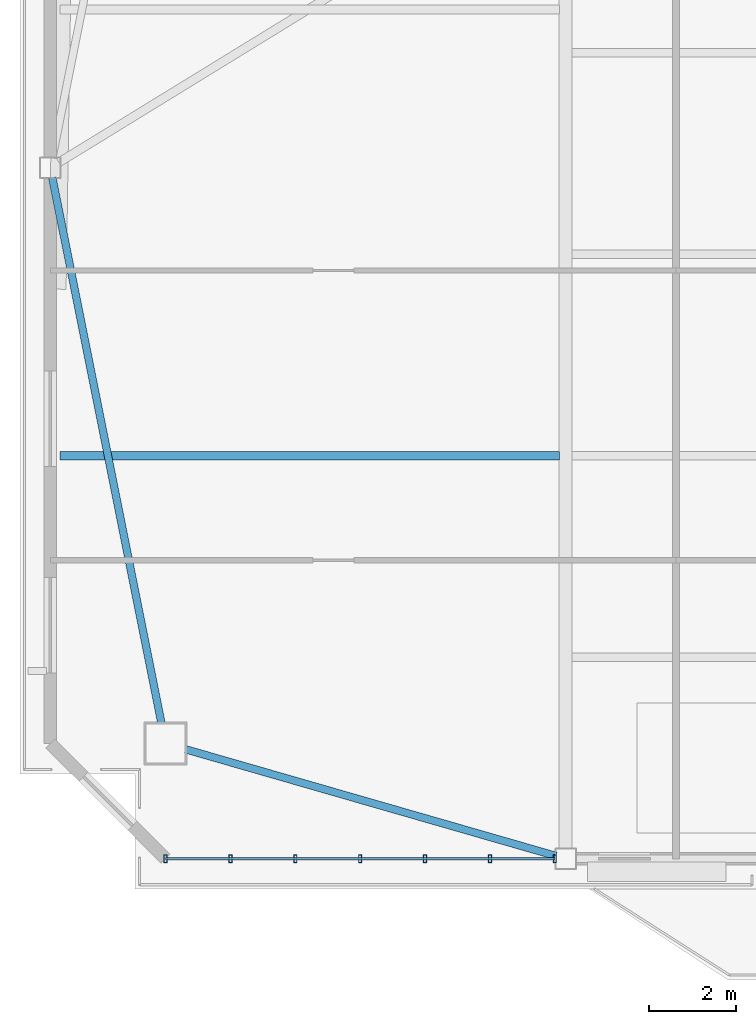
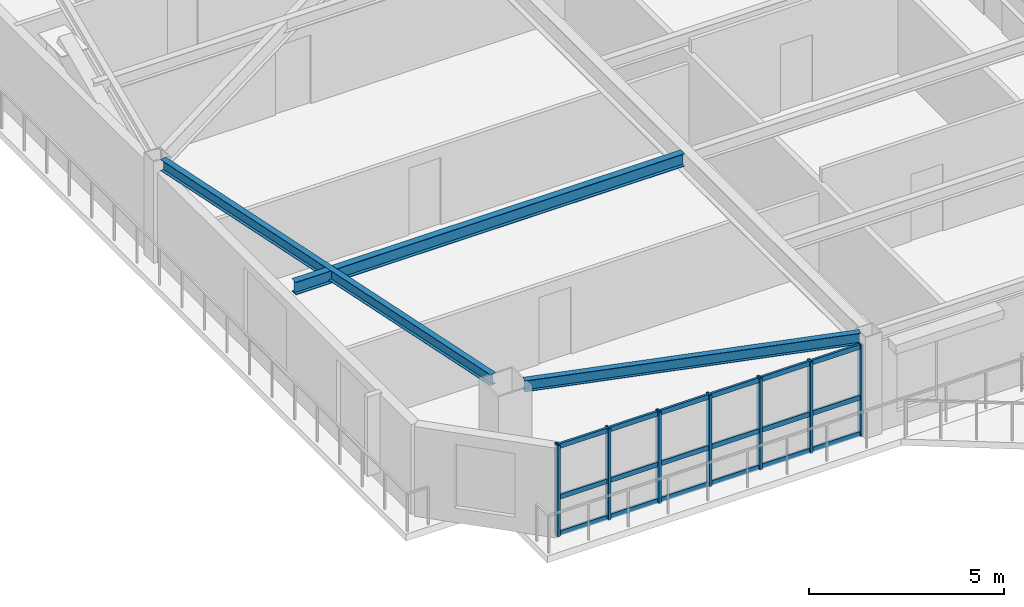
# One storey, part 2 of 19: 10 members, 3 beams, 1 element without a shape of its own.
"""IFC4 building model written with IfcOpenShell, lengths in metres."""

from ifc_helpers import new_model, si_unit, direction, frame, origin, origin_2d, place, context, subcontext, project, spatial, hollow_rectangle, i_section, extrude, source, transform, mapped, material, layer, layer_set, material_profile, profile_set, type_object, element, aggregate, save


model = new_model("IFC4")

# Units and contexts
model_context = context("Model", 3, precision=1e-05, world=origin(), true_north=direction((0.0, 1.0)))
body_context = subcontext(model_context, "Body", "Model", "MODEL_VIEW")
ifc_project = project(units=[si_unit("LENGTHUNIT", "METRE"), si_unit("AREAUNIT", "SQUARE_METRE"), si_unit("VOLUMEUNIT", "CUBIC_METRE"), si_unit("PLANEANGLEUNIT", "RADIAN"), si_unit("MASSUNIT", "GRAM", prefix="KILO")], contexts=[model_context])

# Site, building, storey
site_placement = place(None, origin())
site = spatial("IfcSite", under=ifc_project, at=site_placement, CompositionType="ELEMENT")
building_placement = place(site_placement, origin())
building = spatial("IfcBuilding", under=site, at=building_placement, Name="Giltprow Tower", CompositionType="ELEMENT")
storey_placement = place(building_placement, frame((0.0, 0.0, 241.699951171875)))
storey = spatial("IfcBuildingStorey", under=building, at=storey_placement, Name="L61", CompositionType="ELEMENT", Elevation=241.699951171875)

# Beams
ifc_material_1 = material(Name="Structural steel Q355B", Category="steel")
ifc_material_profile_1 = material_profile(ifc_material_1, i_section(OverallWidth=0.199951171875, OverallDepth=0.39990234375, WebThickness=0.008056640625, FlangeThickness=0.012939453125, at=origin_2d()), Name="HN 400x200x8x13")
ifc_profile_set_1 = profile_set([ifc_material_profile_1], Name="Structural steel Q355B")
beam_type_1 = type_object("IfcBeamType", Name="BM-JOIST-HN400", PredefinedType="JOIST", material=ifc_profile_set_1)
shared_shape_1 = source(origin(), body_context, "Body", "SweptSolid", [
    extrude(i_section(OverallWidth=0.199951171875, OverallDepth=0.39990234375, WebThickness=0.008056640625, FlangeThickness=0.012939453125, at=origin_2d()), origin(), (0.0, 0.0, 1.0), 11.537109375),
])
beam_1_placement = place(storey_placement, frame((8.16796875, 23.491943359375, 2.985107421875), z_axis=(1.0, 0.0, 0.0), x_axis=(0.0, 1.0, 0.0)))
element("IfcBeam", 1, at=beam_1_placement, inside=storey, type_object=beam_type_1, Name="L61 West Wing Floor Joist 1", PredefinedType="JOIST", context=body_context, shape_type="MappedRepresentation", body=[
    mapped(shared_shape_1, transform((0.0, 0.0, 0.0), x_axis=(1.0, 0.0, 0.0), y_axis=(0.0, 1.0, 0.0), z_axis=(0.0, 0.0, 1.0), scale=1.0)),
])
ifc_material_profile_2 = material_profile(ifc_material_1, i_section(OverallWidth=0.175048828125, OverallDepth=0.35009765625, WebThickness=0.007080078125, FlangeThickness=0.010986328125, at=origin_2d()), Name="HN 350x175x7x11")
ifc_profile_set_2 = profile_set([ifc_material_profile_2], Name="Structural steel Q355B")
beam_type_2 = type_object("IfcBeamType", Name="BM-SPAN-HN350", PredefinedType="SPANDREL", material=ifc_profile_set_2)
shared_shape_2 = source(origin(), body_context, "Body", "SweptSolid", [
    extrude(i_section(OverallWidth=0.175048828125, OverallDepth=0.35009765625, WebThickness=0.007080078125, FlangeThickness=0.010986328125, at=origin_2d()), origin(), (0.0, 0.0, 1.0), 8.896484375),
])
beam_2_placement = place(storey_placement, frame((11.074951171875, 16.708984375, 3.010009765625), z_axis=(0.960948150958, -0.276728479146, 0.0), x_axis=(0.276728479146, 0.960948150958, 0.0)))
element("IfcBeam", 2, at=beam_2_placement, inside=storey, type_object=beam_type_2, Name="L61 Perimeter Spandrel Beam MC_SW-S1", PredefinedType="SPANDREL", context=body_context, shape_type="MappedRepresentation", body=[
    mapped(shared_shape_2, transform((0.0, 0.0, 0.0), x_axis=(1.0, 0.0, 0.0), y_axis=(0.0, 1.0, 0.0), z_axis=(0.0, 0.0, 1.0), scale=1.0)),
])
shared_shape_3 = source(origin(), body_context, "Body", "SweptSolid", [
    extrude(i_section(OverallWidth=0.175048828125, OverallDepth=0.35009765625, WebThickness=0.007080078125, FlangeThickness=0.010986328125, at=origin_2d()), origin(), (0.0, 0.0, 1.0), 12.841552734375),
])
beam_3_placement = place(storey_placement, frame((7.993896484375, 29.910888671875, 3.010009765625), z_axis=(0.196240441892, -0.980555806146, 0.0), x_axis=(0.980555806146, 0.196240441892, 0.0)))
element("IfcBeam", 3, at=beam_3_placement, inside=storey, type_object=beam_type_2, Name="L61 Perimeter Spandrel Beam W_MID-MC_SW", PredefinedType="SPANDREL", context=body_context, shape_type="MappedRepresentation", body=[
    mapped(shared_shape_3, transform((0.0, 0.0, 0.0), x_axis=(1.0, 0.0, 0.0), y_axis=(0.0, 1.0, 0.0), z_axis=(0.0, 0.0, 1.0), scale=1.0)),
])

# Curtain wall, members
ifc_material_2 = material(Name="Anodized bronze", Category="metal")
ifc_layer = layer(ifc_material_2, 0.179931640625, Name="Anodized bronze")
ifc_layer_set = layer_set([ifc_layer], Name="Anodized bronze")
curtain_wall_type = type_object("IfcCurtainWallType", Name="CW-RES-SKY", PredefinedType="NOTDEFINED", material=ifc_layer_set)
curtain_wall_placement = place(storey_placement, origin())
curtain_wall = element("IfcCurtainWall", 4, at=curtain_wall_placement, inside=storey, type_object=curtain_wall_type, Name="L61 South Recessed Curtain Wall 1", PredefinedType="NOTDEFINED")
ifc_material_profile_3 = material_profile(ifc_material_2, hollow_rectangle(XDim=0.074951171875, YDim=0.179931640625, WallThickness=0.008056640625, at=origin_2d()), Name="RHS 180x75x8")
ifc_profile_set_3 = profile_set([ifc_material_profile_3], Name="Anodized bronze")
member_type_1 = type_object("IfcMemberType", Name="CW-MULLION-180x75", PredefinedType="MULLION", material=ifc_profile_set_3)
shared_shape_4 = source(origin(), body_context, "Body", "SweptSolid", [
    extrude(hollow_rectangle(XDim=0.074951171875, YDim=0.179931640625, WallThickness=0.008056640625, at=origin_2d()), origin(), (0.0, 0.0, 1.0), 2.8701171875),
])
member_1_placement = place(storey_placement, frame((10.60888671875, 14.181884765625, -0.02001953125), z_axis=(0.0, 0.0, 1.0), x_axis=(1.0, 0.0, 0.0)))
member_1 = element("IfcMember", 5, at=member_1_placement, type_object=member_type_1, Name="L61 South Recessed Curtain Wall 1 Mullion 1", PredefinedType="MULLION", context=body_context, shape_type="MappedRepresentation", body=[
    mapped(shared_shape_4, transform((0.0, 0.0, 0.0), x_axis=(1.0, 0.0, 0.0), y_axis=(0.0, 1.0, 0.0), z_axis=(0.0, 0.0, 1.0), scale=1.0)),
])
member_2_placement = place(storey_placement, frame((12.10693359375, 14.181884765625, -0.02001953125), z_axis=(0.0, 0.0, 1.0), x_axis=(1.0, 0.0, 0.0)))
member_2 = element("IfcMember", 6, at=member_2_placement, type_object=member_type_1, Name="L61 South Recessed Curtain Wall 1 Mullion 2", PredefinedType="MULLION", context=body_context, shape_type="MappedRepresentation", body=[
    mapped(shared_shape_4, transform((0.0, 0.0, 0.0), x_axis=(1.0, 0.0, 0.0), y_axis=(0.0, 1.0, 0.0), z_axis=(0.0, 0.0, 1.0), scale=1.0)),
])
member_3_placement = place(storey_placement, frame((13.60595703125, 14.181884765625, -0.02001953125), z_axis=(0.0, 0.0, 1.0), x_axis=(1.0, 0.0, 0.0)))
member_3 = element("IfcMember", 7, at=member_3_placement, type_object=member_type_1, Name="L61 South Recessed Curtain Wall 1 Mullion 3", PredefinedType="MULLION", context=body_context, shape_type="MappedRepresentation", body=[
    mapped(shared_shape_4, transform((0.0, 0.0, 0.0), x_axis=(1.0, 0.0, 0.0), y_axis=(0.0, 1.0, 0.0), z_axis=(0.0, 0.0, 1.0), scale=1.0)),
])
member_4_placement = place(storey_placement, frame((15.10498046875, 14.181884765625, -0.02001953125), z_axis=(0.0, 0.0, 1.0), x_axis=(1.0, 0.0, 0.0)))
member_4 = element("IfcMember", 8, at=member_4_placement, type_object=member_type_1, Name="L61 South Recessed Curtain Wall 1 Mullion 4", PredefinedType="MULLION", context=body_context, shape_type="MappedRepresentation", body=[
    mapped(shared_shape_4, transform((0.0, 0.0, 0.0), x_axis=(1.0, 0.0, 0.0), y_axis=(0.0, 1.0, 0.0), z_axis=(0.0, 0.0, 1.0), scale=1.0)),
])
member_5_placement = place(storey_placement, frame((16.60302734375, 14.181884765625, -0.02001953125), z_axis=(0.0, 0.0, 1.0), x_axis=(1.0, 0.0, 0.0)))
member_5 = element("IfcMember", 9, at=member_5_placement, type_object=member_type_1, Name="L61 South Recessed Curtain Wall 1 Mullion 5", PredefinedType="MULLION", context=body_context, shape_type="MappedRepresentation", body=[
    mapped(shared_shape_4, transform((0.0, 0.0, 0.0), x_axis=(1.0, 0.0, 0.0), y_axis=(0.0, 1.0, 0.0), z_axis=(0.0, 0.0, 1.0), scale=1.0)),
])
member_6_placement = place(storey_placement, frame((18.10205078125, 14.181884765625, -0.02001953125), z_axis=(0.0, 0.0, 1.0), x_axis=(1.0, 0.0, 0.0)))
member_6 = element("IfcMember", 10, at=member_6_placement, type_object=member_type_1, Name="L61 South Recessed Curtain Wall 1 Mullion 6", PredefinedType="MULLION", context=body_context, shape_type="MappedRepresentation", body=[
    mapped(shared_shape_4, transform((0.0, 0.0, 0.0), x_axis=(1.0, 0.0, 0.0), y_axis=(0.0, 1.0, 0.0), z_axis=(0.0, 0.0, 1.0), scale=1.0)),
])
member_7_placement = place(storey_placement, frame((19.60009765625, 14.181884765625, -0.02001953125), z_axis=(0.0, 0.0, 1.0), x_axis=(1.0, 0.0, 0.0)))
member_7 = element("IfcMember", 11, at=member_7_placement, type_object=member_type_1, Name="L61 South Recessed Curtain Wall 1 Mullion 7", PredefinedType="MULLION", context=body_context, shape_type="MappedRepresentation", body=[
    mapped(shared_shape_4, transform((0.0, 0.0, 0.0), x_axis=(1.0, 0.0, 0.0), y_axis=(0.0, 1.0, 0.0), z_axis=(0.0, 0.0, 1.0), scale=1.0)),
])
ifc_material_profile_4 = material_profile(ifc_material_2, hollow_rectangle(XDim=0.06494140625, YDim=0.14990234375, WallThickness=0.006103515625, at=origin_2d()), Name="RHS 150x65x6")
ifc_profile_set_4 = profile_set([ifc_material_profile_4], Name="Anodized bronze")
member_type_2 = type_object("IfcMemberType", Name="CW-TRANSOM-150x65", PredefinedType="USERDEFINED", material=ifc_profile_set_4)
shared_shape_5 = source(origin(), body_context, "Body", "SweptSolid", [
    extrude(hollow_rectangle(XDim=0.06494140625, YDim=0.14990234375, WallThickness=0.006103515625, at=origin_2d()), origin(), (0.0, 0.0, 1.0), 8.9912109375),
])
member_8_placement = place(storey_placement, frame((10.60888671875, 14.181884765625, 0.0400390625), z_axis=(1.0, 0.0, 0.0), x_axis=(0.0, 1.0, 0.0)))
member_8 = element("IfcMember", 12, at=member_8_placement, type_object=member_type_2, Name="L61 South Recessed Curtain Wall 1 Transom 1", ObjectType="TRANSOM", PredefinedType="USERDEFINED", context=body_context, shape_type="MappedRepresentation", body=[
    mapped(shared_shape_5, transform((0.0, 0.0, 0.0), x_axis=(1.0, 0.0, 0.0), y_axis=(0.0, 1.0, 0.0), z_axis=(0.0, 0.0, 1.0), scale=1.0)),
])
member_9_placement = place(storey_placement, frame((10.60888671875, 14.181884765625, 1.18212890625), z_axis=(1.0, 0.0, 0.0), x_axis=(0.0, 1.0, 0.0)))
member_9 = element("IfcMember", 13, at=member_9_placement, type_object=member_type_2, Name="L61 South Recessed Curtain Wall 1 Transom 2", ObjectType="TRANSOM", PredefinedType="USERDEFINED", context=body_context, shape_type="MappedRepresentation", body=[
    mapped(shared_shape_5, transform((0.0, 0.0, 0.0), x_axis=(1.0, 0.0, 0.0), y_axis=(0.0, 1.0, 0.0), z_axis=(0.0, 0.0, 1.0), scale=1.0)),
])
member_10_placement = place(storey_placement, frame((10.60888671875, 14.181884765625, 2.775146484375), z_axis=(1.0, 0.0, 0.0), x_axis=(0.0, 1.0, 0.0)))
member_10 = element("IfcMember", 14, at=member_10_placement, type_object=member_type_2, Name="L61 South Recessed Curtain Wall 1 Transom 3", ObjectType="TRANSOM", PredefinedType="USERDEFINED", context=body_context, shape_type="MappedRepresentation", body=[
    mapped(shared_shape_5, transform((0.0, 0.0, 0.0), x_axis=(1.0, 0.0, 0.0), y_axis=(0.0, 1.0, 0.0), z_axis=(0.0, 0.0, 1.0), scale=1.0)),
])
aggregate(curtain_wall, [member_1, member_2, member_3, member_4, member_5, member_6, member_7, member_8, member_9, member_10])

save(model, "model.ifc")
